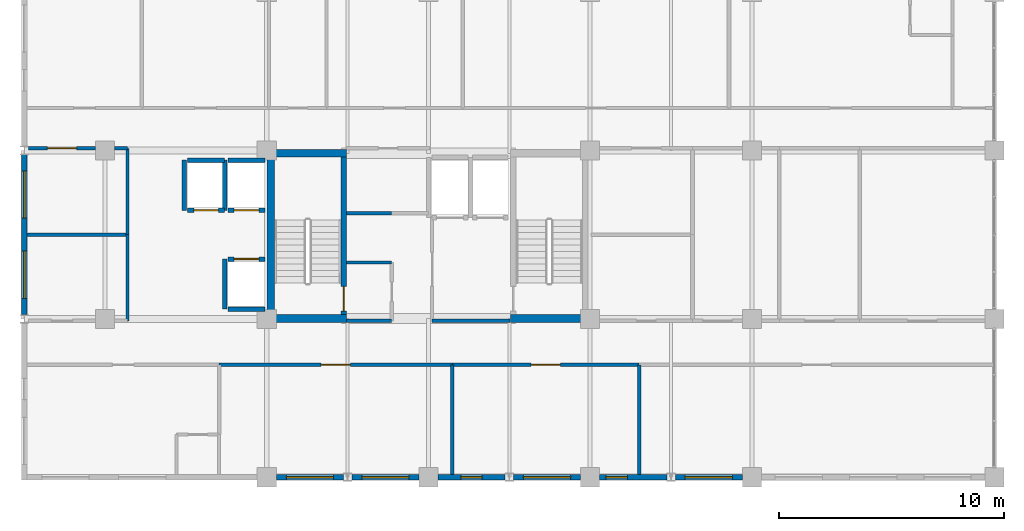
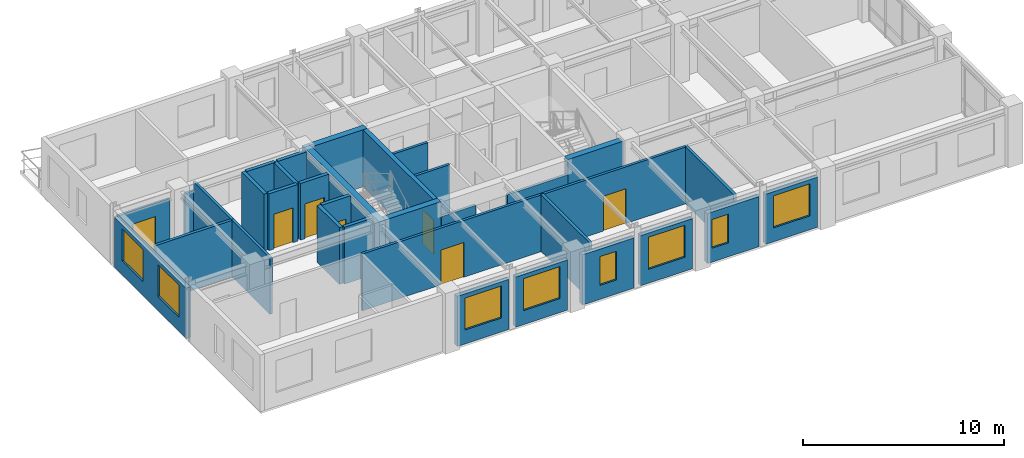
# One storey, part 6 of 11: 34 walls, 8 windows, 7 doors, 15 openings.
"""IFC4 building model written with IfcOpenShell, lengths in metres."""

from ifc_helpers import new_model, si_unit, direction, frame, frame_2d, origin, place, context, subcontext, project, spatial, rectangle, extrude, material, layer, layer_set, type_object, element, fill, save


model = new_model("IFC4")

# Units and contexts
model_context = context("Model", 3, precision=1e-05, world=origin(), true_north=direction((0.0, 1.0)))
body_context = subcontext(model_context, "Body", "Model", "MODEL_VIEW")
ifc_project = project(units=[si_unit("LENGTHUNIT", "METRE"), si_unit("AREAUNIT", "SQUARE_METRE"), si_unit("VOLUMEUNIT", "CUBIC_METRE"), si_unit("PLANEANGLEUNIT", "RADIAN"), si_unit("MASSUNIT", "GRAM", prefix="KILO")], contexts=[model_context])

# Site, building, storey
site_placement = place(None, origin())
site = spatial("IfcSite", under=ifc_project, at=site_placement, CompositionType="ELEMENT")
building_placement = place(site_placement, origin())
building = spatial("IfcBuilding", under=site, at=building_placement, Name="Kaliganga Portal Commons", CompositionType="ELEMENT")
storey_placement = place(building_placement, frame((0.0, 0.0, 253.60009765625)))
storey = spatial("IfcBuildingStorey", under=building, at=storey_placement, Name="L65", CompositionType="ELEMENT", Elevation=253.60009765625)

# Walls
ifc_material_1 = material(Name="Concrete C50/60", Category="concrete")
ifc_layer_1 = layer(ifc_material_1, 0.35009765625)
ifc_layer_set_1 = layer_set([ifc_layer_1], Name="Concrete C50/60")
wall_type_1 = type_object("IfcWallType", Name="WL-CORE-350", PredefinedType="SHEAR", material=ifc_layer_set_1)
wall_1_placement = place(storey_placement, frame((14.574951171875, 28.5, 0.0), z_axis=(0.0, 0.0, 1.0), x_axis=(0.0, 1.0, 0.0)))
element("IfcWall", 1, at=wall_1_placement, inside=storey, type_object=wall_type_1, Name="Core A West Shear Wall L65", PredefinedType="SHEAR", context=body_context, shape_type="SweptSolid", body=[
    extrude(rectangle(XDim=7.699951171875, YDim=0.35009765625, at=frame_2d((3.85009765625, 0.0))), origin(), (0.0, 0.0, 1.0), 3.474853515625),
])
for number, where, z_axis, x_axis, name in (
    (2, (14.75, 28.675048828125, 0.0), (0.0, 0.0, 1.0), (1.0, 0.0, 0.0), "Core A S-West Shear Wall L65"),
    (3, (25.25, 28.675048828125, 0.0), (0.0, 0.0, 1.0), (1.0, 0.0, 0.0), "Core A S-East Shear Wall L65"),
    (4, (14.75, 36.02490234375, 0.0), (0.0, 0.0, 1.0), (1.0, 0.0, 0.0), "Core A N-West Shear Wall L65"),
):
    element("IfcWall", number, at=place(storey_placement, frame(where, z_axis=z_axis, x_axis=x_axis)), inside=storey, type_object=wall_type_1, Name=name, PredefinedType="SHEAR", context=body_context, shape_type="SweptSolid", body=[
        extrude(rectangle(XDim=3.199951171875, YDim=0.35009765625, at=frame_2d((1.60009765625, 0.0))), origin(), (0.0, 0.0, 1.0), 3.474853515625),
    ])

# Wall, opening, window
ifc_material_2 = material(Name="Insulated Aluminium-Clad Spandrel Assembly", Category="aluminium")
ifc_layer_2 = layer(ifc_material_2, 0.260009765625)
ifc_layer_set_2 = layer_set([ifc_layer_2], Name="Insulated Aluminium-Clad Spandrel Assembly")
wall_type_2 = type_object("IfcWallType", Name="WL-EXT-SPAND-260", PredefinedType="STANDARD", material=ifc_layer_set_2)
wall_2_placement = place(storey_placement, frame((17.81201171875, 21.60009765625, 0.0), z_axis=(0.0, 0.0, 1.0), x_axis=(-1.0, 0.0, 0.0)))
wall_2 = element("IfcWall", 5, at=wall_2_placement, inside=storey, type_object=wall_type_2, Name="Exterior Envelope Wall L65 P1-E00-S2", PredefinedType="STANDARD", context=body_context, shape_type="SweptSolid", body=[
    extrude(rectangle(XDim=2.986083984375, YDim=0.260009765625, at=frame_2d((1.4931640625, 0.0))), origin(), (0.0, 0.0, 1.0), 3.054931640625),
])
opening_1_placement = place(wall_2_placement, frame((0.443115234375, 0.0, 0.85009765625)))
opening_1 = element("IfcOpeningElement", 6, at=opening_1_placement, cuts=wall_2, Name="Opening W-06", PredefinedType="OPENING", context=body_context, shape_type="SweptSolid", body=[
    extrude(rectangle(XDim=2.10009765625, YDim=1.949951171875, at=frame_2d((1.050048828125, 0.97509765625))), frame((0.0, 0.14013671875, 0.0), z_axis=(0.0, -1.0, 0.0), x_axis=(1.0, 0.0, 0.0)), (0.0, 0.0, 1.0), 0.280029296875),
])
ifc_material_3 = material(Name="Thermally Broken Aluminium and Low-E Double Glazing", Category="aluminium")
window_type_1 = type_object("IfcWindowType", Name="WIN-PAN-2100", PartitioningType="DOUBLE_PANEL_VERTICAL", PredefinedType="WINDOW", material=ifc_material_3)
window_1_placement = place(opening_1_placement, origin())
window_1 = element("IfcWindow", 7, at=window_1_placement, inside=storey, type_object=window_type_1, Name="Facade Window L65-P1E00S2-00", OverallHeight=1.949951171875, OverallWidth=2.10009765625, PartitioningType="SINGLE_PANEL", PredefinedType="WINDOW", context=body_context, shape_type="SweptSolid", body=[
    extrude(rectangle(XDim=2.10009765625, YDim=1.949951171875, at=frame_2d((1.050048828125, 0.97509765625))), frame((0.0, 0.030029296875, 0.0), z_axis=(0.0, -1.0, 0.0), x_axis=(1.0, 0.0, 0.0)), (0.0, 0.0, 1.0), 0.06005859375),
])
fill(opening_1, window_1)

wall_3_placement = place(storey_placement, frame((21.174072265625, 21.60009765625, 0.0), z_axis=(0.0, 0.0, 1.0), x_axis=(-1.0, 0.0, 0.0)))
wall_3 = element("IfcWall", 8, at=wall_3_placement, inside=storey, type_object=wall_type_2, Name="Exterior Envelope Wall L65 P1-E00-S3", PredefinedType="STANDARD", context=body_context, shape_type="SweptSolid", body=[
    extrude(rectangle(XDim=2.986083984375, YDim=0.260009765625, at=frame_2d((1.4931640625, 0.0))), origin(), (0.0, 0.0, 1.0), 3.054931640625),
])
opening_2_placement = place(wall_3_placement, frame((0.443115234375, 0.0, 0.85009765625)))
opening_2 = element("IfcOpeningElement", 9, at=opening_2_placement, cuts=wall_3, Name="Opening W-06", PredefinedType="OPENING", context=body_context, shape_type="SweptSolid", body=[
    extrude(rectangle(XDim=2.10009765625, YDim=1.949951171875, at=frame_2d((1.050048828125, 0.97509765625))), frame((0.0, 0.14013671875, 0.0), z_axis=(0.0, -1.0, 0.0), x_axis=(1.0, 0.0, 0.0)), (0.0, 0.0, 1.0), 0.280029296875),
])
window_2_placement = place(opening_2_placement, origin())
window_2 = element("IfcWindow", 10, at=window_2_placement, inside=storey, type_object=window_type_1, Name="Facade Window L65-P1E00S3-00", OverallHeight=1.949951171875, OverallWidth=2.10009765625, PartitioningType="SINGLE_PANEL", PredefinedType="WINDOW", context=body_context, shape_type="SweptSolid", body=[
    extrude(rectangle(XDim=2.10009765625, YDim=1.949951171875, at=frame_2d((1.050048828125, 0.97509765625))), frame((0.0, 0.030029296875, 0.0), z_axis=(0.0, -1.0, 0.0), x_axis=(1.0, 0.0, 0.0)), (0.0, 0.0, 1.0), 0.06005859375),
])
fill(opening_2, window_2)

wall_4_placement = place(storey_placement, frame((25.011962890625, 21.60009765625, 0.0), z_axis=(0.0, 0.0, 1.0), x_axis=(-1.0, 0.0, 0.0)))
wall_4 = element("IfcWall", 11, at=wall_4_placement, inside=storey, type_object=wall_type_2, Name="Exterior Envelope Wall L65 P1-E00-S4", PredefinedType="STANDARD", context=body_context, shape_type="SweptSolid", body=[
    extrude(rectangle(XDim=2.986083984375, YDim=0.260009765625, at=frame_2d((1.4931640625, 0.0))), origin(), (0.0, 0.0, 1.0), 3.054931640625),
])
opening_3_placement = place(wall_4_placement, frame((1.01806640625, 0.0, 0.85009765625)))
opening_3 = element("IfcOpeningElement", 12, at=opening_3_placement, cuts=wall_4, Name="Opening W-04", PredefinedType="OPENING", context=body_context, shape_type="SweptSolid", body=[
    extrude(rectangle(XDim=0.949951171875, YDim=1.75, at=frame_2d((0.47509765625, 0.875))), frame((0.0, 0.14013671875, 0.0), z_axis=(0.0, -1.0, 0.0), x_axis=(1.0, 0.0, 0.0)), (0.0, 0.0, 1.0), 0.280029296875),
])
window_type_2 = type_object("IfcWindowType", Name="WIN-NARROW-950", PartitioningType="SINGLE_PANEL", PredefinedType="WINDOW", material=ifc_material_3)
window_3_placement = place(opening_3_placement, origin())
window_3 = element("IfcWindow", 13, at=window_3_placement, inside=storey, type_object=window_type_2, Name="Facade Window L65-P1E00S4-N0", OverallHeight=1.75, OverallWidth=0.949951171875, PartitioningType="SINGLE_PANEL", PredefinedType="WINDOW", context=body_context, shape_type="SweptSolid", body=[
    extrude(rectangle(XDim=0.949951171875, YDim=1.75, at=frame_2d((0.47509765625, 0.875))), frame((0.0, 0.030029296875, 0.0), z_axis=(0.0, -1.0, 0.0), x_axis=(1.0, 0.0, 0.0)), (0.0, 0.0, 1.0), 0.06005859375),
])
fill(opening_3, window_3)

wall_5_placement = place(storey_placement, frame((28.3740234375, 21.60009765625, 0.0), z_axis=(0.0, 0.0, 1.0), x_axis=(-1.0, 0.0, 0.0)))
wall_5 = element("IfcWall", 14, at=wall_5_placement, inside=storey, type_object=wall_type_2, Name="Exterior Envelope Wall L65 P1-E00-S5", PredefinedType="STANDARD", context=body_context, shape_type="SweptSolid", body=[
    extrude(rectangle(XDim=2.986083984375, YDim=0.260009765625, at=frame_2d((1.4931640625, 0.0))), origin(), (0.0, 0.0, 1.0), 3.054931640625),
])
opening_4_placement = place(wall_5_placement, frame((0.443115234375, 0.0, 0.85009765625)))
opening_4 = element("IfcOpeningElement", 15, at=opening_4_placement, cuts=wall_5, Name="Opening W-06", PredefinedType="OPENING", context=body_context, shape_type="SweptSolid", body=[
    extrude(rectangle(XDim=2.10009765625, YDim=1.949951171875, at=frame_2d((1.050048828125, 0.97509765625))), frame((0.0, 0.14013671875, 0.0), z_axis=(0.0, -1.0, 0.0), x_axis=(1.0, 0.0, 0.0)), (0.0, 0.0, 1.0), 0.280029296875),
])
window_4_placement = place(opening_4_placement, origin())
window_4 = element("IfcWindow", 16, at=window_4_placement, inside=storey, type_object=window_type_1, Name="Facade Window L65-P1E00S5-00", OverallHeight=1.949951171875, OverallWidth=2.10009765625, PartitioningType="SINGLE_PANEL", PredefinedType="WINDOW", context=body_context, shape_type="SweptSolid", body=[
    extrude(rectangle(XDim=2.10009765625, YDim=1.949951171875, at=frame_2d((1.050048828125, 0.97509765625))), frame((0.0, 0.030029296875, 0.0), z_axis=(0.0, -1.0, 0.0), x_axis=(1.0, 0.0, 0.0)), (0.0, 0.0, 1.0), 0.06005859375),
])
fill(opening_4, window_4)

wall_6_placement = place(storey_placement, frame((32.2119140625, 21.60009765625, 0.0), z_axis=(0.0, 0.0, 1.0), x_axis=(-1.0, 0.0, 0.0)))
wall_6 = element("IfcWall", 17, at=wall_6_placement, inside=storey, type_object=wall_type_2, Name="Exterior Envelope Wall L65 P1-E00-S6", PredefinedType="STANDARD", context=body_context, shape_type="SweptSolid", body=[
    extrude(rectangle(XDim=2.98583984375, YDim=0.260009765625, at=frame_2d((1.492919921875, 0.0))), origin(), (0.0, 0.0, 1.0), 3.054931640625),
])
opening_5_placement = place(wall_6_placement, frame((1.758544921875, 0.0, 0.85009765625)))
opening_5 = element("IfcOpeningElement", 18, at=opening_5_placement, cuts=wall_6, Name="Opening W-04", PredefinedType="OPENING", context=body_context, shape_type="SweptSolid", body=[
    extrude(rectangle(XDim=0.949951171875, YDim=1.75, at=frame_2d((0.47509765625, 0.875))), frame((0.0, 0.14013671875, 0.0), z_axis=(0.0, -1.0, 0.0), x_axis=(1.0, 0.0, 0.0)), (0.0, 0.0, 1.0), 0.280029296875),
])
window_5_placement = place(opening_5_placement, origin())
window_5 = element("IfcWindow", 19, at=window_5_placement, inside=storey, type_object=window_type_2, Name="Facade Window L65-P1E00S6-N2", OverallHeight=1.75, OverallWidth=0.949951171875, PartitioningType="SINGLE_PANEL", PredefinedType="WINDOW", context=body_context, shape_type="SweptSolid", body=[
    extrude(rectangle(XDim=0.949951171875, YDim=1.75, at=frame_2d((0.47509765625, 0.875))), frame((0.0, 0.030029296875, 0.0), z_axis=(0.0, -1.0, 0.0), x_axis=(1.0, 0.0, 0.0)), (0.0, 0.0, 1.0), 0.06005859375),
])
fill(opening_5, window_5)

wall_7_placement = place(storey_placement, frame((35.573974609375, 21.60009765625, 0.0), z_axis=(0.0, 0.0, 1.0), x_axis=(-1.0, 0.0, 0.0)))
wall_7 = element("IfcWall", 20, at=wall_7_placement, inside=storey, type_object=wall_type_2, Name="Exterior Envelope Wall L65 P1-E00-S7", PredefinedType="STANDARD", context=body_context, shape_type="SweptSolid", body=[
    extrude(rectangle(XDim=2.986083984375, YDim=0.260009765625, at=frame_2d((1.4931640625, 0.0))), origin(), (0.0, 0.0, 1.0), 3.054931640625),
])
opening_6_placement = place(wall_7_placement, frame((0.443115234375, 0.0, 0.85009765625)))
opening_6 = element("IfcOpeningElement", 21, at=opening_6_placement, cuts=wall_7, Name="Opening W-06", PredefinedType="OPENING", context=body_context, shape_type="SweptSolid", body=[
    extrude(rectangle(XDim=2.10009765625, YDim=1.949951171875, at=frame_2d((1.050048828125, 0.97509765625))), frame((0.0, 0.14013671875, 0.0), z_axis=(0.0, -1.0, 0.0), x_axis=(1.0, 0.0, 0.0)), (0.0, 0.0, 1.0), 0.280029296875),
])
window_6_placement = place(opening_6_placement, origin())
window_6 = element("IfcWindow", 22, at=window_6_placement, inside=storey, type_object=window_type_1, Name="Facade Window L65-P1E00S7-00", OverallHeight=1.949951171875, OverallWidth=2.10009765625, PartitioningType="SINGLE_PANEL", PredefinedType="WINDOW", context=body_context, shape_type="SweptSolid", body=[
    extrude(rectangle(XDim=2.10009765625, YDim=1.949951171875, at=frame_2d((1.050048828125, 0.97509765625))), frame((0.0, 0.030029296875, 0.0), z_axis=(0.0, -1.0, 0.0), x_axis=(1.0, 0.0, 0.0)), (0.0, 0.0, 1.0), 0.06005859375),
])
fill(opening_6, window_6)

# Wall, openings, windows
wall_8_placement = place(storey_placement, frame((3.60009765625, 28.8369140625, 0.0), z_axis=(0.0, 0.0, 1.0), x_axis=(0.0, 1.0, 0.0)))
wall_8 = element("IfcWall", 23, at=wall_8_placement, inside=storey, type_object=wall_type_2, Name="Exterior Envelope Wall L65 P1-E03-S2", PredefinedType="STANDARD", context=body_context, shape_type="SweptSolid", body=[
    extrude(rectangle(XDim=7.1259765625, YDim=0.260009765625, at=frame_2d((3.56298828125, 0.0))), origin(), (0.0, 0.0, 1.0), 3.054931640625),
])
opening_7_placement = place(wall_8_placement, frame((0.7314453125, 0.0, 0.85009765625)))
opening_7 = element("IfcOpeningElement", 24, at=opening_7_placement, cuts=wall_8, Name="Opening W-06", PredefinedType="OPENING", context=body_context, shape_type="SweptSolid", body=[
    extrude(rectangle(XDim=2.10009765625, YDim=1.949951171875, at=frame_2d((1.050048828125, 0.97509765625))), frame((0.0, 0.14013671875, 0.0), z_axis=(0.0, -1.0, 0.0), x_axis=(1.0, 0.0, 0.0)), (0.0, 0.0, 1.0), 0.280029296875),
])
opening_8_placement = place(wall_8_placement, frame((4.29443359375, 0.0, 0.85009765625)))
opening_8 = element("IfcOpeningElement", 25, at=opening_8_placement, cuts=wall_8, Name="Opening W-06", PredefinedType="OPENING", context=body_context, shape_type="SweptSolid", body=[
    extrude(rectangle(XDim=2.10009765625, YDim=1.949951171875, at=frame_2d((1.050048828125, 0.97509765625))), frame((0.0, 0.14013671875, 0.0), z_axis=(0.0, -1.0, 0.0), x_axis=(1.0, 0.0, 0.0)), (0.0, 0.0, 1.0), 0.280029296875),
])
window_7_placement = place(opening_7_placement, origin())
window_7 = element("IfcWindow", 26, at=window_7_placement, inside=storey, type_object=window_type_1, Name="Facade Window L65-P1E03S2-00", OverallHeight=1.949951171875, OverallWidth=2.10009765625, PartitioningType="SINGLE_PANEL", PredefinedType="WINDOW", context=body_context, shape_type="SweptSolid", body=[
    extrude(rectangle(XDim=2.10009765625, YDim=1.949951171875, at=frame_2d((1.050048828125, 0.97509765625))), frame((0.0, 0.030029296875, 0.0), z_axis=(0.0, -1.0, 0.0), x_axis=(1.0, 0.0, 0.0)), (0.0, 0.0, 1.0), 0.06005859375),
])
fill(opening_7, window_7)
window_8_placement = place(opening_8_placement, origin())
window_8 = element("IfcWindow", 27, at=window_8_placement, inside=storey, type_object=window_type_1, Name="Facade Window L65-P1E03S2-01", OverallHeight=1.949951171875, OverallWidth=2.10009765625, PartitioningType="SINGLE_PANEL", PredefinedType="WINDOW", context=body_context, shape_type="SweptSolid", body=[
    extrude(rectangle(XDim=2.10009765625, YDim=1.949951171875, at=frame_2d((1.050048828125, 0.97509765625))), frame((0.0, 0.030029296875, 0.0), z_axis=(0.0, -1.0, 0.0), x_axis=(1.0, 0.0, 0.0)), (0.0, 0.0, 1.0), 0.06005859375),
])
fill(opening_8, window_8)

# Wall, opening, door
ifc_material_4 = material(Name="Fire-Rated Gypsum Board on Steel Stud", Category="steel")
ifc_layer_3 = layer(ifc_material_4, 0.14990234375)
ifc_layer_set_3 = layer_set([ifc_layer_3], Name="Fire-Rated Gypsum Board on Steel Stud")
wall_type_3 = type_object("IfcWallType", Name="WL-PART-CORR-150", PredefinedType="PARTITIONING", material=ifc_layer_set_3)
wall_9_placement = place(storey_placement, frame((12.280029296875, 26.60009765625, 0.0), z_axis=(0.0, 0.0, 1.0), x_axis=(1.0, 0.0, 0.0)))
wall_9 = element("IfcWall", 28, at=wall_9_placement, inside=storey, type_object=wall_type_3, Name="Interior Partition L65-009", PredefinedType="PARTITIONING", context=body_context, shape_type="SweptSolid", body=[
    extrude(rectangle(XDim=10.3798828125, YDim=0.14990234375, at=frame_2d((5.18994140625, 0.0))), origin(), (0.0, 0.0, 1.0), 3.454833984375),
])
opening_9_placement = place(wall_9_placement, frame((4.5400390625, 0.0, 0.0)))
opening_9 = element("IfcOpeningElement", 29, at=opening_9_placement, cuts=wall_9, Name="Opening RD-03", PredefinedType="OPENING", context=body_context, shape_type="SweptSolid", body=[
    extrude(rectangle(XDim=1.300048828125, YDim=2.1201171875, at=frame_2d((0.64990234375, 1.06005859375))), frame((0.0, 0.0849609375, 0.0), z_axis=(0.0, -1.0, 0.0), x_axis=(1.0, 0.0, 0.0)), (0.0, 0.0, 1.0), 0.169921875),
])
ifc_material_5 = material(Name="Glazed Timber Seminar Vision Door", Category="wood")
door_type_1 = type_object("IfcDoorType", Name="DR-STUDY-1300", OperationType="DOUBLE_DOOR_SINGLE_SWING", PredefinedType="DOOR", material=ifc_material_5)
door_1_placement = place(opening_9_placement, origin())
door_1 = element("IfcDoor", 30, at=door_1_placement, inside=storey, type_object=door_type_1, Name="Interior Door L65-AS02", OperationType="DOUBLE_DOOR_SINGLE_SWING", OverallHeight=2.1201171875, OverallWidth=1.300048828125, PredefinedType="DOOR", context=body_context, shape_type="SweptSolid", body=[
    extrude(rectangle(XDim=1.300048828125, YDim=2.1201171875, at=frame_2d((0.64990234375, 1.06005859375))), frame((0.0, 0.02490234375, 0.0), z_axis=(0.0, -1.0, 0.0), x_axis=(1.0, 0.0, 0.0)), (0.0, 0.0, 1.0), 0.050048828125),
])
fill(opening_9, door_1)

wall_10_placement = place(storey_placement, frame((22.659912109375, 26.60009765625, 0.0), z_axis=(0.0, 0.0, 1.0), x_axis=(1.0, 0.0, 0.0)))
wall_10 = element("IfcWall", 31, at=wall_10_placement, inside=storey, type_object=wall_type_3, Name="Interior Partition L65-012", PredefinedType="PARTITIONING", context=body_context, shape_type="SweptSolid", body=[
    extrude(rectangle(XDim=8.320068359375, YDim=0.14990234375, at=frame_2d((4.16015625, 0.0))), origin(), (0.0, 0.0, 1.0), 3.454833984375),
])
opening_10_placement = place(wall_10_placement, frame((3.510009765625, 0.0, 0.0)))
opening_10 = element("IfcOpeningElement", 32, at=opening_10_placement, cuts=wall_10, Name="Opening RD-03", PredefinedType="OPENING", context=body_context, shape_type="SweptSolid", body=[
    extrude(rectangle(XDim=1.300048828125, YDim=2.1201171875, at=frame_2d((0.64990234375, 1.06005859375))), frame((0.0, 0.0849609375, 0.0), z_axis=(0.0, -1.0, 0.0), x_axis=(1.0, 0.0, 0.0)), (0.0, 0.0, 1.0), 0.169921875),
])
door_2_placement = place(opening_10_placement, origin())
door_2 = element("IfcDoor", 33, at=door_2_placement, inside=storey, type_object=door_type_1, Name="Interior Door L65-AS03", OperationType="DOUBLE_DOOR_SINGLE_SWING", OverallHeight=2.1201171875, OverallWidth=1.300048828125, PredefinedType="DOOR", context=body_context, shape_type="SweptSolid", body=[
    extrude(rectangle(XDim=1.300048828125, YDim=2.1201171875, at=frame_2d((0.64990234375, 1.06005859375))), frame((0.0, 0.02490234375, 0.0), z_axis=(0.0, -1.0, 0.0), x_axis=(1.0, 0.0, 0.0)), (0.0, 0.0, 1.0), 0.050048828125),
])
fill(opening_10, door_2)

wall_11_placement = place(storey_placement, frame((3.787109375, 36.239990234375, 0.0), z_axis=(0.0, 0.0, 1.0), x_axis=(1.0, 0.0, 0.0)))
wall_11 = element("IfcWall", 34, at=wall_11_placement, inside=storey, type_object=wall_type_3, Name="Interior Partition L65-020", PredefinedType="PARTITIONING", context=body_context, shape_type="SweptSolid", body=[
    extrude(rectangle(XDim=2.98779296875, YDim=0.14990234375, at=frame_2d((1.493896484375, 0.0))), origin(), (0.0, 0.0, 1.0), 2.90478515625),
])
opening_11_placement = place(wall_11_placement, frame((0.843994140625, 0.0, 0.0)))
opening_11 = element("IfcOpeningElement", 35, at=opening_11_placement, cuts=wall_11, Name="Opening RD-03", PredefinedType="OPENING", context=body_context, shape_type="SweptSolid", body=[
    extrude(rectangle(XDim=1.300048828125, YDim=2.1201171875, at=frame_2d((0.64990234375, 1.06005859375))), frame((0.0, 0.0849609375, 0.0), z_axis=(0.0, -1.0, 0.0), x_axis=(1.0, 0.0, 0.0)), (0.0, 0.0, 1.0), 0.169921875),
])
door_3_placement = place(opening_11_placement, origin())
door_3 = element("IfcDoor", 36, at=door_3_placement, inside=storey, type_object=door_type_1, Name="Interior Door L65-AW02", OperationType="DOUBLE_DOOR_SINGLE_SWING", OverallHeight=2.1201171875, OverallWidth=1.300048828125, PredefinedType="DOOR", context=body_context, shape_type="SweptSolid", body=[
    extrude(rectangle(XDim=1.300048828125, YDim=2.1201171875, at=frame_2d((0.64990234375, 1.06005859375))), frame((0.0, 0.02490234375, 0.0), z_axis=(0.0, -1.0, 0.0), x_axis=(1.0, 0.0, 0.0)), (0.0, 0.0, 1.0), 0.050048828125),
])
fill(opening_11, door_3)

# Walls
wall_12_placement = place(storey_placement, frame((7.625, 36.239990234375, 0.0), z_axis=(0.0, 0.0, 1.0), x_axis=(1.0, 0.0, 0.0)))
element("IfcWall", 37, at=wall_12_placement, inside=storey, type_object=wall_type_3, Name="Interior Partition L65-021", PredefinedType="PARTITIONING", context=body_context, shape_type="SweptSolid", body=[
    extrude(rectangle(XDim=0.574951171875, YDim=0.14990234375, at=frame_2d((0.28759765625, 0.0))), origin(), (0.0, 0.0, 1.0), 2.90478515625),
])
wall_13_placement = place(storey_placement, frame((8.199951171875, 32.39990234375, 0.0), z_axis=(0.0, 0.0, 1.0), x_axis=(0.0, 1.0, 0.0)))
element("IfcWall", 38, at=wall_13_placement, inside=storey, type_object=wall_type_3, Name="Interior Partition L65-028", PredefinedType="PARTITIONING", context=body_context, shape_type="SweptSolid", body=[
    extrude(rectangle(XDim=3.840087890625, YDim=0.14990234375, at=frame_2d((1.919921875, 0.0))), origin(), (0.0, 0.0, 1.0), 3.454833984375),
])
wall_14_placement = place(storey_placement, frame((8.199951171875, 28.56005859375, 0.0), z_axis=(0.0, 0.0, 1.0), x_axis=(0.0, 1.0, 0.0)))
element("IfcWall", 39, at=wall_14_placement, inside=storey, type_object=wall_type_3, Name="Interior Partition L65-029", PredefinedType="PARTITIONING", context=body_context, shape_type="SweptSolid", body=[
    extrude(rectangle(XDim=3.83984375, YDim=0.14990234375, at=frame_2d((1.919921875, 0.0))), origin(), (0.0, 0.0, 1.0), 3.454833984375),
])
wall_15_placement = place(storey_placement, frame((17.9599609375, 28.56005859375, 0.0), z_axis=(0.0, 0.0, 1.0), x_axis=(1.0, 0.0, 0.0)))
element("IfcWall", 40, at=wall_15_placement, inside=storey, type_object=wall_type_3, Name="Interior Partition L65-035", PredefinedType="PARTITIONING", context=body_context, shape_type="SweptSolid", body=[
    extrude(rectangle(XDim=2.0, YDim=0.14990234375, at=frame_2d((1.0, 0.0))), origin(), (0.0, 0.0, 1.0), 2.554931640625),
])
for number, where, z_axis, x_axis, name in (
    (41, (17.9599609375, 31.159912109375, 0.0), (0.0, 0.0, 1.0), (1.0, 0.0, 0.0), "Interior Partition L65-036"),
    (42, (17.9599609375, 33.360107421875, 0.0), (0.0, 0.0, 1.0), (1.0, 0.0, 0.0), "Interior Partition L65-037"),
):
    element("IfcWall", number, at=place(storey_placement, frame(where, z_axis=z_axis, x_axis=x_axis)), inside=storey, type_object=wall_type_3, Name=name, PredefinedType="PARTITIONING", context=body_context, shape_type="SweptSolid", body=[
        extrude(rectangle(XDim=2.0, YDim=0.14990234375, at=frame_2d((1.0, 0.0))), origin(), (0.0, 0.0, 1.0), 3.454833984375),
    ])
wall_16_placement = place(storey_placement, frame((21.760009765625, 28.56005859375, 0.0), z_axis=(0.0, 0.0, 1.0), x_axis=(1.0, 0.0, 0.0)))
element("IfcWall", 43, at=wall_16_placement, inside=storey, type_object=wall_type_3, Name="Interior Partition L65-054", PredefinedType="PARTITIONING", context=body_context, shape_type="SweptSolid", body=[
    extrude(rectangle(XDim=3.47998046875, YDim=0.14990234375, at=frame_2d((1.739990234375, 0.0))), origin(), (0.0, 0.0, 1.0), 2.554931640625),
])
ifc_material_6 = material(Name="Twin-Stud Acoustic Gypsum Partition", Category="gypsum")
ifc_layer_4 = layer(ifc_material_6, 0.1650390625)
ifc_layer_set_4 = layer_set([ifc_layer_4], Name="Twin-Stud Acoustic Gypsum Partition")
wall_type_4 = type_object("IfcWallType", Name="WL-PART-UNIT-165", PredefinedType="PARTITIONING", material=ifc_layer_set_4)
for number, where, z_axis, x_axis, name in (
    (44, (22.659912109375, 21.73193359375, 0.0), (0.0, 0.0, 1.0), (0.0, 1.0, 0.0), "Interior Partition L65-047"),
    (45, (30.97998046875, 21.73193359375, 0.0), (0.0, 0.0, 1.0), (0.0, 1.0, 0.0), "Interior Partition L65-048"),
):
    element("IfcWall", number, at=place(storey_placement, frame(where, z_axis=z_axis, x_axis=x_axis)), inside=storey, type_object=wall_type_4, Name=name, PredefinedType="PARTITIONING", context=body_context, shape_type="SweptSolid", body=[
        extrude(rectangle(XDim=4.8681640625, YDim=0.1650390625, at=frame_2d((2.43408203125, 0.0))), origin(), (0.0, 0.0, 1.0), 3.454833984375),
    ])
wall_17_placement = place(storey_placement, frame((3.73193359375, 32.39990234375, 0.0), z_axis=(0.0, 0.0, 1.0), x_axis=(1.0, 0.0, 0.0)))
element("IfcWall", 46, at=wall_17_placement, inside=storey, type_object=wall_type_4, Name="Interior Partition L65-049", PredefinedType="PARTITIONING", context=body_context, shape_type="SweptSolid", body=[
    extrude(rectangle(XDim=4.468017578125, YDim=0.1650390625, at=frame_2d((2.23388671875, 0.0))), origin(), (0.0, 0.0, 1.0), 3.454833984375),
])

# Wall, opening, door
ifc_material_7 = material(Name="Fire-Rated Shaftwall Masonry Assembly", Category="masonry")
ifc_layer_5 = layer(ifc_material_7, 0.199951171875)
ifc_layer_set_5 = layer_set([ifc_layer_5], Name="Fire-Rated Shaftwall Masonry Assembly")
wall_type_5 = type_object("IfcWallType", Name="WL-SHAFT-200", PredefinedType="PARTITIONING", material=ifc_layer_set_5)
wall_18_placement = place(storey_placement, frame((12.675048828125, 33.485107421875, 0.0), z_axis=(0.0, 0.0, 1.0), x_axis=(1.0, 0.0, 0.0)))
wall_18 = element("IfcWall", 47, at=wall_18_placement, inside=storey, type_object=wall_type_5, Name="Lift PL-A3 Hoistway Shaft Wall L65-S", PredefinedType="PARTITIONING", context=body_context, shape_type="SweptSolid", body=[
    extrude(rectangle(XDim=1.64990234375, YDim=0.199951171875, at=frame_2d((0.824951171875, 0.0))), origin(), (0.0, 0.0, 1.0), 3.454833984375),
])
opening_12_placement = place(wall_18_placement, frame((0.27490234375, 0.0, 0.0)))
opening_12 = element("IfcOpeningElement", 48, at=opening_12_placement, cuts=wall_18, Name="Opening LD-01", PredefinedType="OPENING", context=body_context, shape_type="SweptSolid", body=[
    extrude(rectangle(XDim=1.10009765625, YDim=2.1201171875, at=frame_2d((0.550048828125, 1.06005859375))), frame((0.0, 0.10986328125, 0.0), z_axis=(0.0, -1.0, 0.0), x_axis=(1.0, 0.0, 0.0)), (0.0, 0.0, 1.0), 0.219970703125),
])
ifc_material_8 = material(Name="Brushed Stainless Steel 316 Lift Landing Door", Category="steel")
door_type_2 = type_object("IfcDoorType", Name="DR-LIFT-1100", OperationType="SLIDING_TO_LEFT", PredefinedType="DOOR", material=ifc_material_8)
door_4_placement = place(opening_12_placement, origin())
door_4 = element("IfcDoor", 49, at=door_4_placement, inside=storey, type_object=door_type_2, Name="Lift PL-A3 Sliding Landing Door L65", OperationType="SLIDING_TO_LEFT", OverallHeight=2.1201171875, OverallWidth=1.10009765625, PredefinedType="DOOR", context=body_context, shape_type="SweptSolid", body=[
    extrude(rectangle(XDim=1.10009765625, YDim=2.1201171875, at=frame_2d((0.550048828125, 1.06005859375))), frame((0.0, 0.02490234375, 0.0), z_axis=(0.0, -1.0, 0.0), x_axis=(1.0, 0.0, 0.0)), (0.0, 0.0, 1.0), 0.050048828125),
])
fill(opening_12, door_4)

# Walls
wall_19_placement = place(storey_placement, frame((12.675048828125, 35.715087890625, 0.0), z_axis=(0.0, 0.0, 1.0), x_axis=(1.0, 0.0, 0.0)))
element("IfcWall", 50, at=wall_19_placement, inside=storey, type_object=wall_type_5, Name="Lift PL-A3 Hoistway Shaft Wall L65-N", PredefinedType="PARTITIONING", context=body_context, shape_type="SweptSolid", body=[
    extrude(rectangle(XDim=1.64990234375, YDim=0.199951171875, at=frame_2d((0.824951171875, 0.0))), origin(), (0.0, 0.0, 1.0), 3.454833984375),
])
wall_20_placement = place(storey_placement, frame((12.534912109375, 33.485107421875, 0.0), z_axis=(0.0, 0.0, 1.0), x_axis=(0.0, 1.0, 0.0)))
element("IfcWall", 51, at=wall_20_placement, inside=storey, type_object=wall_type_5, Name="Lift PL-A3 Hoistway Shaft Wall L65-W", PredefinedType="PARTITIONING", context=body_context, shape_type="SweptSolid", body=[
    extrude(rectangle(XDim=2.22998046875, YDim=0.199951171875, at=frame_2d((1.114990234375, 0.0))), origin(), (0.0, 0.0, 1.0), 3.454833984375),
])
wall_21_placement = place(storey_placement, frame((12.675048828125, 29.0849609375, 0.0), z_axis=(0.0, 0.0, 1.0), x_axis=(1.0, 0.0, 0.0)))
element("IfcWall", 52, at=wall_21_placement, inside=storey, type_object=wall_type_5, Name="Lift PL-A4 Hoistway Shaft Wall L65-S", PredefinedType="PARTITIONING", context=body_context, shape_type="SweptSolid", body=[
    extrude(rectangle(XDim=1.64990234375, YDim=0.199951171875, at=frame_2d((0.824951171875, 0.0))), origin(), (0.0, 0.0, 1.0), 3.454833984375),
])

# Wall, opening, door
wall_22_placement = place(storey_placement, frame((12.675048828125, 31.31494140625, 0.0), z_axis=(0.0, 0.0, 1.0), x_axis=(1.0, 0.0, 0.0)))
wall_22 = element("IfcWall", 53, at=wall_22_placement, inside=storey, type_object=wall_type_5, Name="Lift PL-A4 Hoistway Shaft Wall L65-N", PredefinedType="PARTITIONING", context=body_context, shape_type="SweptSolid", body=[
    extrude(rectangle(XDim=1.64990234375, YDim=0.199951171875, at=frame_2d((0.824951171875, 0.0))), origin(), (0.0, 0.0, 1.0), 3.454833984375),
])
opening_13_placement = place(wall_22_placement, frame((0.27490234375, 0.0, 0.0)))
opening_13 = element("IfcOpeningElement", 54, at=opening_13_placement, cuts=wall_22, Name="Opening LD-01", PredefinedType="OPENING", context=body_context, shape_type="SweptSolid", body=[
    extrude(rectangle(XDim=1.10009765625, YDim=2.1201171875, at=frame_2d((0.550048828125, 1.06005859375))), frame((0.0, 0.10986328125, 0.0), z_axis=(0.0, -1.0, 0.0), x_axis=(1.0, 0.0, 0.0)), (0.0, 0.0, 1.0), 0.219970703125),
])
door_5_placement = place(opening_13_placement, origin())
door_5 = element("IfcDoor", 55, at=door_5_placement, inside=storey, type_object=door_type_2, Name="Lift PL-A4 Sliding Landing Door L65", OperationType="SLIDING_TO_LEFT", OverallHeight=2.1201171875, OverallWidth=1.10009765625, PredefinedType="DOOR", context=body_context, shape_type="SweptSolid", body=[
    extrude(rectangle(XDim=1.10009765625, YDim=2.1201171875, at=frame_2d((0.550048828125, 1.06005859375))), frame((0.0, 0.02490234375, 0.0), z_axis=(0.0, -1.0, 0.0), x_axis=(1.0, 0.0, 0.0)), (0.0, 0.0, 1.0), 0.050048828125),
])
fill(opening_13, door_5)

# Wall
wall_23_placement = place(storey_placement, frame((12.534912109375, 29.0849609375, 0.0), z_axis=(0.0, 0.0, 1.0), x_axis=(0.0, 1.0, 0.0)))
element("IfcWall", 56, at=wall_23_placement, inside=storey, type_object=wall_type_5, Name="Lift PL-A4 Hoistway Shaft Wall L65-W", PredefinedType="PARTITIONING", context=body_context, shape_type="SweptSolid", body=[
    extrude(rectangle(XDim=2.22998046875, YDim=0.199951171875, at=frame_2d((1.114990234375, 0.0))), origin(), (0.0, 0.0, 1.0), 3.454833984375),
])

# Wall, opening, door
wall_24_placement = place(storey_placement, frame((10.875, 33.485107421875, 0.0), z_axis=(0.0, 0.0, 1.0), x_axis=(1.0, 0.0, 0.0)))
wall_24 = element("IfcWall", 57, at=wall_24_placement, inside=storey, type_object=wall_type_5, Name="Lift PL-OBS Hoistway Shaft Wall L65-S", PredefinedType="PARTITIONING", context=body_context, shape_type="SweptSolid", body=[
    extrude(rectangle(XDim=1.64990234375, YDim=0.199951171875, at=frame_2d((0.824951171875, 0.0))), origin(), (0.0, 0.0, 1.0), 3.454833984375),
])
opening_14_placement = place(wall_24_placement, frame((0.27490234375, 0.0, 0.0)))
opening_14 = element("IfcOpeningElement", 58, at=opening_14_placement, cuts=wall_24, Name="Opening LD-01", PredefinedType="OPENING", context=body_context, shape_type="SweptSolid", body=[
    extrude(rectangle(XDim=1.10009765625, YDim=2.1201171875, at=frame_2d((0.550048828125, 1.06005859375))), frame((0.0, 0.10986328125, 0.0), z_axis=(0.0, -1.0, 0.0), x_axis=(1.0, 0.0, 0.0)), (0.0, 0.0, 1.0), 0.219970703125),
])
door_6_placement = place(opening_14_placement, origin())
door_6 = element("IfcDoor", 59, at=door_6_placement, inside=storey, type_object=door_type_2, Name="Lift PL-OBS Sliding Landing Door L65", OperationType="SLIDING_TO_LEFT", OverallHeight=2.1201171875, OverallWidth=1.10009765625, PredefinedType="DOOR", context=body_context, shape_type="SweptSolid", body=[
    extrude(rectangle(XDim=1.10009765625, YDim=2.1201171875, at=frame_2d((0.550048828125, 1.06005859375))), frame((0.0, 0.02490234375, 0.0), z_axis=(0.0, -1.0, 0.0), x_axis=(1.0, 0.0, 0.0)), (0.0, 0.0, 1.0), 0.050048828125),
])
fill(opening_14, door_6)

# Walls
wall_25_placement = place(storey_placement, frame((10.875, 35.715087890625, 0.0), z_axis=(0.0, 0.0, 1.0), x_axis=(1.0, 0.0, 0.0)))
element("IfcWall", 60, at=wall_25_placement, inside=storey, type_object=wall_type_5, Name="Lift PL-OBS Hoistway Shaft Wall L65-N", PredefinedType="PARTITIONING", context=body_context, shape_type="SweptSolid", body=[
    extrude(rectangle(XDim=1.64990234375, YDim=0.199951171875, at=frame_2d((0.824951171875, 0.0))), origin(), (0.0, 0.0, 1.0), 3.454833984375),
])
wall_26_placement = place(storey_placement, frame((10.735107421875, 33.485107421875, 0.0), z_axis=(0.0, 0.0, 1.0), x_axis=(0.0, 1.0, 0.0)))
element("IfcWall", 61, at=wall_26_placement, inside=storey, type_object=wall_type_5, Name="Lift PL-OBS Hoistway Shaft Wall L65-W", PredefinedType="PARTITIONING", context=body_context, shape_type="SweptSolid", body=[
    extrude(rectangle(XDim=2.22998046875, YDim=0.199951171875, at=frame_2d((1.114990234375, 0.0))), origin(), (0.0, 0.0, 1.0), 3.454833984375),
])

# Wall, opening, door
ifc_layer_6 = layer(ifc_material_1, 0.25)
ifc_layer_set_6 = layer_set([ifc_layer_6], Name="Concrete C50/60")
wall_type_6 = type_object("IfcWallType", Name="WL-STAIR-250", PredefinedType="SHEAR", material=ifc_layer_set_6)
wall_27_placement = place(storey_placement, frame((17.824951171875, 28.85009765625, 0.0), z_axis=(0.0, 0.0, 1.0), x_axis=(0.0, 1.0, 0.0)))
wall_27 = element("IfcWall", 62, at=wall_27_placement, inside=storey, type_object=wall_type_6, Name="Stair A1 Enclosure Shear Wall L65", PredefinedType="SHEAR", context=body_context, shape_type="SweptSolid", body=[
    extrude(rectangle(XDim=7.0, YDim=0.25, at=frame_2d((3.5, 0.0))), origin(), (0.0, 0.0, 1.0), 3.474853515625),
])
opening_15_placement = place(wall_27_placement, frame((0.14990234375, 0.0, 0.0)))
opening_15 = element("IfcOpeningElement", 63, at=opening_15_placement, cuts=wall_27, Name="Opening SD-01", PredefinedType="OPENING", context=body_context, shape_type="SweptSolid", body=[
    extrude(rectangle(XDim=1.10009765625, YDim=2.080078125, at=frame_2d((0.550048828125, 1.0400390625))), frame((0.0, 0.135009765625, 0.0), z_axis=(0.0, -1.0, 0.0), x_axis=(1.0, 0.0, 0.0)), (0.0, 0.0, 1.0), 0.27001953125),
])
ifc_material_9 = material(Name="Galvanized Steel Fire Door Leaf and Frame", Category="steel")
door_type_3 = type_object("IfcDoorType", Name="DR-STAIR-1100", OperationType="NOTDEFINED", PredefinedType="DOOR", material=ifc_material_9)
door_7_placement = place(opening_15_placement, origin())
door_7 = element("IfcDoor", 64, at=door_7_placement, inside=storey, type_object=door_type_3, Name="Protected Stair ST-A1 Fire Door L65", OperationType="SINGLE_SWING_LEFT", OverallHeight=2.080078125, OverallWidth=1.10009765625, PredefinedType="DOOR", context=body_context, shape_type="SweptSolid", body=[
    extrude(rectangle(XDim=1.10009765625, YDim=2.080078125, at=frame_2d((0.550048828125, 1.0400390625))), frame((0.0, 0.02490234375, 0.0), z_axis=(0.0, -1.0, 0.0), x_axis=(1.0, 0.0, 0.0)), (0.0, 0.0, 1.0), 0.050048828125),
])
fill(opening_15, door_7)

save(model, "model.ifc")
